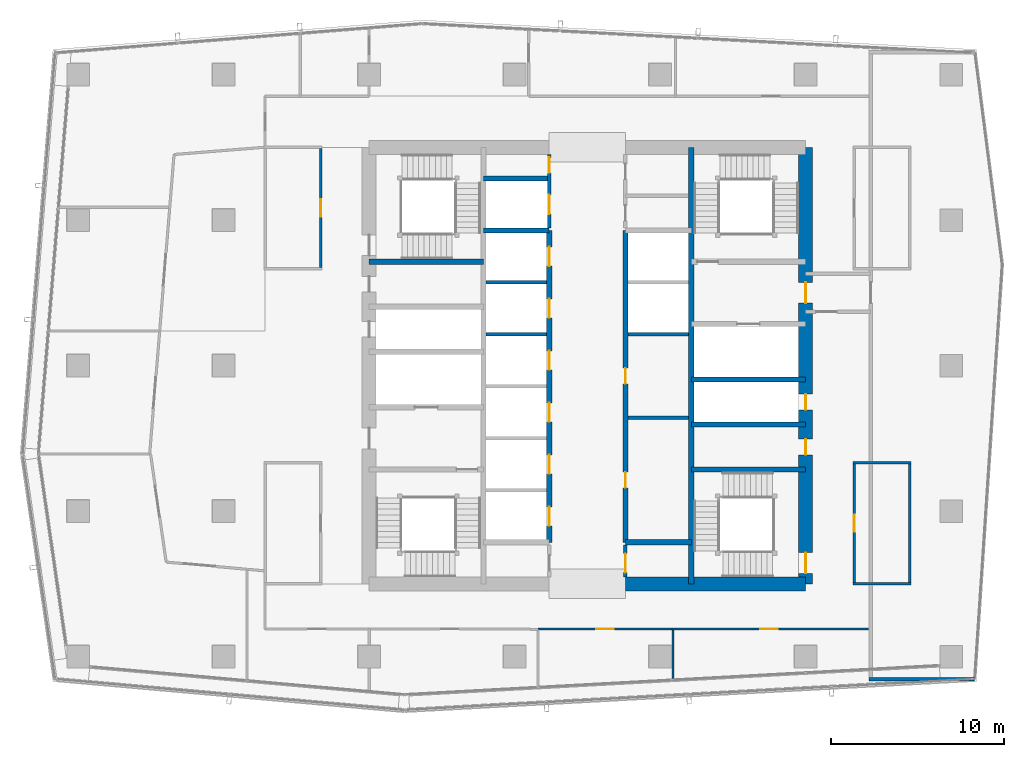
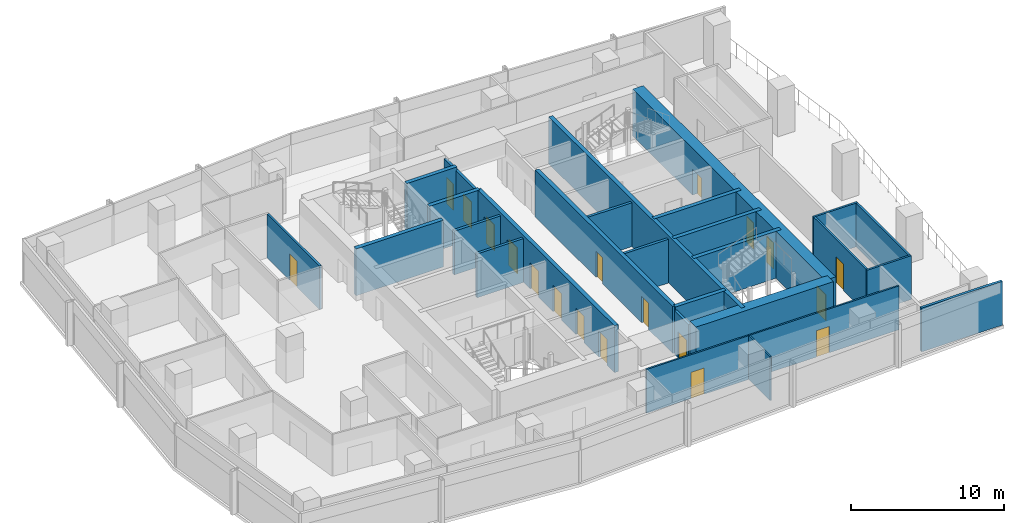
# One storey, part 20 of 26: 27 walls, 19 doors, 19 openings.
"""IFC4 building model written with IfcOpenShell, lengths in metres."""

import ifcopenshell
import ifcopenshell.guid

model = None  # the IFC model being written
_history = None  # IfcOwnerHistory: only IFC2X3 demands one
_inside = {}  # id of a spatial element -> (the spatial element, [elements in it])
_under = {}  # id of a project, library or spatial element -> (it, [spatial elements below it])
_declared = {}  # id of a project -> (the project, [libraries it declares])
_typed = {}  # id of a type object -> (the type object, [elements of that type])
_made_of = {}  # id of a material, layer set ... -> (it, [elements and type objects made of it])


def new_model(schema):
    """Start an empty IFC model of exactly this schema.

    Asked for "IFC4X3", IfcOpenShell would pick the latest addendum, in which some entities
    have other attributes; the version numbers below select the first issue.
    IFC2X3 requires an IfcOwnerHistory on every rooted entity: one is made here for all.
    """
    global model, _history
    if schema == "IFC4X3":
        model = ifcopenshell.file(schema_version=(4, 3, 0, 0))
    else:
        model = ifcopenshell.file(schema=schema)
    _inside.clear()
    _under.clear()
    _declared.clear()
    _typed.clear()
    _made_of.clear()
    _history = None
    if model.schema == "IFC2X3":
        org = make("IfcOrganization", Name="unknown")
        user = make(
            "IfcPersonAndOrganization",
            ThePerson=make("IfcPerson", FamilyName="unknown"),
            TheOrganization=org,
        )
        app = make(
            "IfcApplication",
            ApplicationDeveloper=org,
            Version="unknown",
            ApplicationFullName="unknown",
            ApplicationIdentifier="unknown",
        )
        _history = make(
            "IfcOwnerHistory",
            OwningUser=user,
            OwningApplication=app,
            ChangeAction="ADDED",
            CreationDate=0,
        )
    return model


def make(cls, **values):
    """One entity of the class cls with the attributes given. An attribute that is None is left unset."""
    return model.create_entity(
        cls, **{name: value for name, value in values.items() if value is not None}
    )


def rooted(cls, **values):
    """An entity with a GlobalId (a new one), such as an element, a storey or a relation."""
    return make(cls, GlobalId=ifcopenshell.guid.new(), OwnerHistory=_history, **values)


def si_unit(unit_type, name, prefix=None):
    """IfcSIUnit, for example si_unit("LENGTHUNIT", "METRE", prefix="MILLI")."""
    return make("IfcSIUnit", UnitType=unit_type, Prefix=prefix, Name=name)


def assignment(units):
    """IfcUnitAssignment: the units of a project."""
    return None if units is None else make("IfcUnitAssignment", Units=units)


def point(xyz):
    """IfcCartesianPoint."""
    return None if xyz is None else make("IfcCartesianPoint", Coordinates=xyz)


def direction(xyz):
    """IfcDirection."""
    return None if xyz is None else make("IfcDirection", DirectionRatios=xyz)


def frame(location, z_axis=None, x_axis=None):
    """IfcAxis2Placement3D, a coordinate frame: its origin and axes. An axis left out is left unset."""
    return make(
        "IfcAxis2Placement3D",
        Location=point(location),
        Axis=direction(z_axis),
        RefDirection=direction(x_axis),
    )


def frame_2d(location, x_axis=None):
    """IfcAxis2Placement2D, a coordinate frame in the plane: its origin and x axis."""
    return make(
        "IfcAxis2Placement2D", Location=point(location), RefDirection=direction(x_axis)
    )


def origin():
    """The frame at (0, 0, 0) with its axes left unset."""
    return frame((0.0, 0.0, 0.0))


def place(relative_to, where):
    """IfcLocalPlacement: puts the frame where relative to a parent placement (None: the world)."""
    return make(
        "IfcLocalPlacement", PlacementRelTo=relative_to, RelativePlacement=where
    )


def context(
    kind, dimensions, precision=None, world=None, true_north=None, identifier=None
):
    """IfcGeometricRepresentationContext, for example the 3D "Model" context."""
    return make(
        "IfcGeometricRepresentationContext",
        ContextIdentifier=identifier,
        ContextType=kind,
        CoordinateSpaceDimension=dimensions,
        Precision=precision,
        WorldCoordinateSystem=world,
        TrueNorth=true_north,
    )


def subcontext(parent, identifier, kind, view, scale=None):
    """IfcGeometricRepresentationSubContext, for example "Body" below "Model"."""
    return make(
        "IfcGeometricRepresentationSubContext",
        ContextIdentifier=identifier,
        ContextType=kind,
        ParentContext=parent,
        TargetScale=scale,
        TargetView=view,
    )


def project(units=None, contexts=None):
    """IfcProject with its units and contexts."""
    return rooted(
        "IfcProject",
        Name="project",
        RepresentationContexts=contexts,
        UnitsInContext=assignment(units),
    )


def spatial(cls, under=None, at=None, **own):
    """A site, building, storey or space (cls), placed at a placement, below another one or the project."""
    s = rooted(cls, ObjectPlacement=at, **own)
    if under is not None:
        _under.setdefault(under.id(), (under, []))[1].append(s)
    return s


def profile(cls, at=None, kind="AREA", **sizes):
    """A parametric profile (cls). Its sizes go by their IFC names, for example OverallWidth=200.0."""
    return make(cls, ProfileType=kind, Position=at, **sizes)


def rectangle(**sizes):
    """IfcRectangleProfileDef."""
    return profile("IfcRectangleProfileDef", **sizes)


def extrude(swept, where, along, depth):
    """IfcExtrudedAreaSolid: the profile swept, set in the frame where, extruded along a direction by depth."""
    return make(
        "IfcExtrudedAreaSolid",
        SweptArea=swept,
        Position=where,
        ExtrudedDirection=direction(along),
        Depth=depth,
    )


def shape(context_of_items, identifier, shape_type, items):
    """IfcShapeRepresentation: the items that make up one representation, for example the "Body"."""
    return make(
        "IfcShapeRepresentation",
        ContextOfItems=context_of_items,
        RepresentationIdentifier=identifier,
        RepresentationType=shape_type,
        Items=items,
    )


def material(Name=None, Category=None):
    """IfcMaterial."""
    return make("IfcMaterial", Name=Name, Category=Category)


def layer(
    of_material, thickness, ventilated=None, Name=None, Category=None, Priority=None
):
    """IfcMaterialLayer: one layer of a wall or slab, of a material (None: an air gap)."""
    return make(
        "IfcMaterialLayer",
        Material=of_material,
        LayerThickness=thickness,
        IsVentilated=ventilated,
        Name=Name,
        Category=Category,
        Priority=Priority,
    )


def layer_set(layers, Name=None):
    """IfcMaterialLayerSet."""
    return make("IfcMaterialLayerSet", MaterialLayers=layers, LayerSetName=Name)


def made_of(thing, what):
    """Note that an element or type object is made of a material, layer set ...; save() writes the relation."""
    if what is not None:
        _made_of.setdefault(what.id(), (what, []))[1].append(thing)
    return thing


def type_object(cls, material=None, **own):
    """A type object (cls), such as IfcWallType, which elements share."""
    return made_of(rooted(cls, **own), material)


def element(
    cls,
    number,
    at=None,
    inside=None,
    cuts=None,
    type_object=None,
    material=None,
    context=None,
    identifier="Body",
    shape_type=None,
    held_by="IfcProductDefinitionShape",
    body=None,
    shapes=None,
    **own,
):
    """One element of the class cls, such as IfcWall. Its Tag is "e" and its number.

    at: its placement. inside: the storey or other place that contains it. cuts: it is an
    opening in that element (IfcRelVoidsElement). A single representation is given by context,
    identifier, shape_type and body (its items); several are given by shapes. held_by: the class
    of the entity that holds the representations. save() writes the other relations.
    """
    e = rooted(cls, Tag="e%d" % number, ObjectPlacement=at, **own)
    if body is not None:
        shapes = [shape(context, identifier, shape_type, body)]
    if shapes is not None:
        e.Representation = make(held_by, Representations=shapes)
    if inside is not None:
        _inside.setdefault(inside.id(), (inside, []))[1].append(e)
    if cuts is not None:
        rooted(
            "IfcRelVoidsElement", RelatingBuildingElement=cuts, RelatedOpeningElement=e
        )
    if type_object is not None:
        _typed.setdefault(type_object.id(), (type_object, []))[1].append(e)
    return made_of(e, material)


def fill(opening, filler):
    """IfcRelFillsElement: the door or window that sits in an opening."""
    return rooted(
        "IfcRelFillsElement",
        RelatingOpeningElement=opening,
        RelatedBuildingElement=filler,
    )


def aggregate(whole, parts):
    """IfcRelAggregates: a whole, such as a stair, and the parts it consists of."""
    return rooted("IfcRelAggregates", RelatingObject=whole, RelatedObjects=parts)


def save(model, path):
    """Write the relations noted so far, then the file.

    IfcRelAggregates (storeys below a building ...), IfcRelContainedInSpatialStructure (elements
    in a storey), IfcRelDefinesByType, IfcRelAssociatesMaterial and IfcRelDeclares: one each for
    every whole, place, type object, material and project.
    """
    for whole, parts in _under.values():
        aggregate(whole, parts)
    for where, things in _inside.values():
        rooted(
            "IfcRelContainedInSpatialStructure",
            RelatedElements=things,
            RelatingStructure=where,
        )
    for kind, things in _typed.values():
        rooted("IfcRelDefinesByType", RelatedObjects=things, RelatingType=kind)
    for what, things in _made_of.values():
        rooted("IfcRelAssociatesMaterial", RelatedObjects=things, RelatingMaterial=what)
    for by, libraries in _declared.values():
        rooted("IfcRelDeclares", RelatingContext=by, RelatedDefinitions=libraries)
    model.write(path)


model = new_model("IFC4")

# Units and contexts
model_context = context("Model", 3, precision=1e-05, world=origin(), true_north=direction((0.0, 1.0)))
body_context = subcontext(model_context, "Body", "Model", "MODEL_VIEW")
ifc_project = project(units=[si_unit("LENGTHUNIT", "METRE"), si_unit("AREAUNIT", "SQUARE_METRE"), si_unit("VOLUMEUNIT", "CUBIC_METRE"), si_unit("PLANEANGLEUNIT", "RADIAN"), si_unit("MASSUNIT", "GRAM", prefix="KILO")], contexts=[model_context])

# Site, building, storey
site_placement = place(None, origin())
site = spatial("IfcSite", under=ifc_project, at=site_placement, CompositionType="ELEMENT")
building_placement = place(site_placement, origin())
building = spatial("IfcBuilding", under=site, at=building_placement, Name="Rekha Terrace Tower", CompositionType="ELEMENT")
storey_placement = place(building_placement, frame((0.0, 0.0, 283.85009765625)))
storey = spatial("IfcBuildingStorey", under=building, at=storey_placement, Name="L72", CompositionType="ELEMENT", Elevation=283.85009765625)

# Wall
ifc_material_1 = material(Name="Concrete M60", Category="concrete")
ifc_layer_1 = layer(ifc_material_1, 0.300048828125)
ifc_layer_set_1 = layer_set([ifc_layer_1], Name="Concrete M60")
wall_type_1 = type_object("IfcWallType", Name="CI5 300 core internal shear wall", PredefinedType="SHEAR", material=ifc_layer_set_1)
wall_1_placement = place(storey_placement, frame((43.800048828125, 21.0, 0.0), z_axis=(0.0, 0.0, 1.0), x_axis=(0.0, 1.0, 0.0)))
element("IfcWall", 1, at=wall_1_placement, inside=storey, type_object=wall_type_1, Name="Core wall X438 L72", PredefinedType="SHEAR", context=body_context, shape_type="SweptSolid", body=[
    extrude(rectangle(XDim=25.199951171875, YDim=0.300048828125, at=frame_2d((12.60009765625, 0.0))), origin(), (0.0, 0.0, 1.0), 3.75),
])

# Wall, openings, doors
wall_2_placement = place(storey_placement, frame((35.60009765625, 23.39990234375, 0.0), z_axis=(0.0, 0.0, 1.0), x_axis=(0.0, 1.0, 0.0)))
wall_2 = element("IfcWall", 2, at=wall_2_placement, inside=storey, type_object=wall_type_1, Name="Core wall X356 L72", PredefinedType="SHEAR", context=body_context, shape_type="SweptSolid", body=[
    extrude(rectangle(XDim=18.0, YDim=0.300048828125, at=frame_2d((9.0, 0.0))), origin(), (0.0, 0.0, 1.0), 3.75),
])
opening_1_placement = place(wall_2_placement, frame((0.949951171875, 0.0, 0.0)))
opening_1 = element("IfcOpeningElement", 3, at=opening_1_placement, cuts=wall_2, Name="Opening LD1", PredefinedType="OPENING", context=body_context, shape_type="SweptSolid", body=[
    extrude(rectangle(XDim=1.10009765625, YDim=2.10009765625, at=frame_2d((0.550048828125, 1.050048828125))), frame((0.0, 0.159912109375, 0.0), z_axis=(0.0, -1.0, 0.0), x_axis=(1.0, 0.0, 0.0)), (0.0, 0.0, 1.0), 0.320068359375),
])
opening_2_placement = place(wall_2_placement, frame((3.949951171875, 0.0, 0.0)))
opening_2 = element("IfcOpeningElement", 4, at=opening_2_placement, cuts=wall_2, Name="Opening LD1", PredefinedType="OPENING", context=body_context, shape_type="SweptSolid", body=[
    extrude(rectangle(XDim=1.10009765625, YDim=2.10009765625, at=frame_2d((0.550048828125, 1.050048828125))), frame((0.0, 0.159912109375, 0.0), z_axis=(0.0, -1.0, 0.0), x_axis=(1.0, 0.0, 0.0)), (0.0, 0.0, 1.0), 0.320068359375),
])
opening_3_placement = place(wall_2_placement, frame((6.949951171875, 0.0, 0.0)))
opening_3 = element("IfcOpeningElement", 5, at=opening_3_placement, cuts=wall_2, Name="Opening LD1", PredefinedType="OPENING", context=body_context, shape_type="SweptSolid", body=[
    extrude(rectangle(XDim=1.10009765625, YDim=2.10009765625, at=frame_2d((0.550048828125, 1.050048828125))), frame((0.0, 0.159912109375, 0.0), z_axis=(0.0, -1.0, 0.0), x_axis=(1.0, 0.0, 0.0)), (0.0, 0.0, 1.0), 0.320068359375),
])
opening_4_placement = place(wall_2_placement, frame((9.949951171875, 0.0, 0.0)))
opening_4 = element("IfcOpeningElement", 6, at=opening_4_placement, cuts=wall_2, Name="Opening LD1", PredefinedType="OPENING", context=body_context, shape_type="SweptSolid", body=[
    extrude(rectangle(XDim=1.10009765625, YDim=2.10009765625, at=frame_2d((0.550048828125, 1.050048828125))), frame((0.0, 0.159912109375, 0.0), z_axis=(0.0, -1.0, 0.0), x_axis=(1.0, 0.0, 0.0)), (0.0, 0.0, 1.0), 0.320068359375),
])
opening_5_placement = place(wall_2_placement, frame((12.949951171875, 0.0, 0.0)))
opening_5 = element("IfcOpeningElement", 7, at=opening_5_placement, cuts=wall_2, Name="Opening LD1", PredefinedType="OPENING", context=body_context, shape_type="SweptSolid", body=[
    extrude(rectangle(XDim=1.10009765625, YDim=2.10009765625, at=frame_2d((0.550048828125, 1.050048828125))), frame((0.0, 0.159912109375, 0.0), z_axis=(0.0, -1.0, 0.0), x_axis=(1.0, 0.0, 0.0)), (0.0, 0.0, 1.0), 0.320068359375),
])
opening_6_placement = place(wall_2_placement, frame((15.949951171875, 0.0, 0.0)))
opening_6 = element("IfcOpeningElement", 8, at=opening_6_placement, cuts=wall_2, Name="Opening LD1", PredefinedType="OPENING", context=body_context, shape_type="SweptSolid", body=[
    extrude(rectangle(XDim=1.10009765625, YDim=2.10009765625, at=frame_2d((0.550048828125, 1.050048828125))), frame((0.0, 0.159912109375, 0.0), z_axis=(0.0, -1.0, 0.0), x_axis=(1.0, 0.0, 0.0)), (0.0, 0.0, 1.0), 0.320068359375),
])
ifc_material_2 = material(Name="Stainless steel sliding landing door", Category="steel")
door_type_1 = type_object("IfcDoorType", Name="LD1 1100x2100 lift landing door", OperationType="SLIDING_TO_LEFT", PredefinedType="USERDEFINED", material=ifc_material_2)
door_1_placement = place(opening_1_placement, origin())
door_1 = element("IfcDoor", 9, at=door_1_placement, inside=storey, type_object=door_type_1, Name="Lift D1 landing door L72", ObjectType="LIFT LANDING DOOR", OperationType="SLIDING_TO_LEFT", OverallHeight=2.10009765625, OverallWidth=1.10009765625, PredefinedType="USERDEFINED", context=body_context, shape_type="SweptSolid", body=[
    extrude(rectangle(XDim=1.10009765625, YDim=2.10009765625, at=frame_2d((0.550048828125, 1.050048828125))), frame((0.0, 0.02490234375, 0.0), z_axis=(0.0, -1.0, 0.0), x_axis=(1.0, 0.0, 0.0)), (0.0, 0.0, 1.0), 0.050048828125),
])
fill(opening_1, door_1)
door_2_placement = place(opening_2_placement, origin())
door_2 = element("IfcDoor", 10, at=door_2_placement, inside=storey, type_object=door_type_1, Name="Lift D2 landing door L72", ObjectType="LIFT LANDING DOOR", OperationType="SLIDING_TO_LEFT", OverallHeight=2.10009765625, OverallWidth=1.10009765625, PredefinedType="USERDEFINED", context=body_context, shape_type="SweptSolid", body=[
    extrude(rectangle(XDim=1.10009765625, YDim=2.10009765625, at=frame_2d((0.550048828125, 1.050048828125))), frame((0.0, 0.02490234375, 0.0), z_axis=(0.0, -1.0, 0.0), x_axis=(1.0, 0.0, 0.0)), (0.0, 0.0, 1.0), 0.050048828125),
])
fill(opening_2, door_2)
door_3_placement = place(opening_3_placement, origin())
door_3 = element("IfcDoor", 11, at=door_3_placement, inside=storey, type_object=door_type_1, Name="Lift D3 landing door L72", ObjectType="LIFT LANDING DOOR", OperationType="SLIDING_TO_LEFT", OverallHeight=2.10009765625, OverallWidth=1.10009765625, PredefinedType="USERDEFINED", context=body_context, shape_type="SweptSolid", body=[
    extrude(rectangle(XDim=1.10009765625, YDim=2.10009765625, at=frame_2d((0.550048828125, 1.050048828125))), frame((0.0, 0.02490234375, 0.0), z_axis=(0.0, -1.0, 0.0), x_axis=(1.0, 0.0, 0.0)), (0.0, 0.0, 1.0), 0.050048828125),
])
fill(opening_3, door_3)
door_4_placement = place(opening_4_placement, origin())
door_4 = element("IfcDoor", 12, at=door_4_placement, inside=storey, type_object=door_type_1, Name="Lift D4 landing door L72", ObjectType="LIFT LANDING DOOR", OperationType="SLIDING_TO_LEFT", OverallHeight=2.10009765625, OverallWidth=1.10009765625, PredefinedType="USERDEFINED", context=body_context, shape_type="SweptSolid", body=[
    extrude(rectangle(XDim=1.10009765625, YDim=2.10009765625, at=frame_2d((0.550048828125, 1.050048828125))), frame((0.0, 0.02490234375, 0.0), z_axis=(0.0, -1.0, 0.0), x_axis=(1.0, 0.0, 0.0)), (0.0, 0.0, 1.0), 0.050048828125),
])
fill(opening_4, door_4)
door_5_placement = place(opening_5_placement, origin())
door_5 = element("IfcDoor", 13, at=door_5_placement, inside=storey, type_object=door_type_1, Name="Lift D5 landing door L72", ObjectType="LIFT LANDING DOOR", OperationType="SLIDING_TO_LEFT", OverallHeight=2.10009765625, OverallWidth=1.10009765625, PredefinedType="USERDEFINED", context=body_context, shape_type="SweptSolid", body=[
    extrude(rectangle(XDim=1.10009765625, YDim=2.10009765625, at=frame_2d((0.550048828125, 1.050048828125))), frame((0.0, 0.02490234375, 0.0), z_axis=(0.0, -1.0, 0.0), x_axis=(1.0, 0.0, 0.0)), (0.0, 0.0, 1.0), 0.050048828125),
])
fill(opening_5, door_5)
door_6_placement = place(opening_6_placement, origin())
door_6 = element("IfcDoor", 14, at=door_6_placement, inside=storey, type_object=door_type_1, Name="Lift D6 landing door L72", ObjectType="LIFT LANDING DOOR", OperationType="SLIDING_TO_LEFT", OverallHeight=2.10009765625, OverallWidth=1.10009765625, PredefinedType="USERDEFINED", context=body_context, shape_type="SweptSolid", body=[
    extrude(rectangle(XDim=1.10009765625, YDim=2.10009765625, at=frame_2d((0.550048828125, 1.050048828125))), frame((0.0, 0.02490234375, 0.0), z_axis=(0.0, -1.0, 0.0), x_axis=(1.0, 0.0, 0.0)), (0.0, 0.0, 1.0), 0.050048828125),
])
fill(opening_6, door_6)

wall_3_placement = place(storey_placement, frame((40.0, 23.39990234375, 0.0), z_axis=(0.0, 0.0, 1.0), x_axis=(0.0, 1.0, 0.0)))
wall_3 = element("IfcWall", 15, at=wall_3_placement, inside=storey, type_object=wall_type_1, Name="Core wall X400 L72", PredefinedType="SHEAR", context=body_context, shape_type="SweptSolid", body=[
    extrude(rectangle(XDim=18.0, YDim=0.300048828125, at=frame_2d((9.0, 0.0))), origin(), (0.0, 0.0, 1.0), 3.75),
])
opening_7_placement = place(wall_3_placement, frame((3.14990234375, 0.0, 0.0)))
opening_7 = element("IfcOpeningElement", 16, at=opening_7_placement, cuts=wall_3, Name="Opening D5", PredefinedType="OPENING", context=body_context, shape_type="SweptSolid", body=[
    extrude(rectangle(XDim=0.89990234375, YDim=2.10009765625, at=frame_2d((0.449951171875, 1.050048828125))), frame((0.0, 0.159912109375, 0.0), z_axis=(0.0, -1.0, 0.0), x_axis=(1.0, 0.0, 0.0)), (0.0, 0.0, 1.0), 0.320068359375),
])
opening_8_placement = place(wall_3_placement, frame((9.14990234375, 0.0, 0.0)))
opening_8 = element("IfcOpeningElement", 17, at=opening_8_placement, cuts=wall_3, Name="Opening D5", PredefinedType="OPENING", context=body_context, shape_type="SweptSolid", body=[
    extrude(rectangle(XDim=0.89990234375, YDim=2.10009765625, at=frame_2d((0.449951171875, 1.050048828125))), frame((0.0, 0.159912109375, 0.0), z_axis=(0.0, -1.0, 0.0), x_axis=(1.0, 0.0, 0.0)), (0.0, 0.0, 1.0), 0.320068359375),
])
ifc_material_3 = material(Name="Steel fire door", Category="steel")
door_type_2 = type_object("IfcDoorType", Name="D5 900x2100 riser access door", OperationType="SINGLE_SWING_LEFT", PredefinedType="DOOR", material=ifc_material_3)
door_7_placement = place(opening_7_placement, origin())
door_7 = element("IfcDoor", 18, at=door_7_placement, inside=storey, type_object=door_type_2, Name="Door back-of-house store L72", OperationType="SINGLE_SWING_LEFT", OverallHeight=2.10009765625, OverallWidth=0.89990234375, PredefinedType="DOOR", context=body_context, shape_type="SweptSolid", body=[
    extrude(rectangle(XDim=0.89990234375, YDim=2.10009765625, at=frame_2d((0.449951171875, 1.050048828125))), frame((0.0, 0.02490234375, 0.0), z_axis=(0.0, -1.0, 0.0), x_axis=(1.0, 0.0, 0.0)), (0.0, 0.0, 1.0), 0.050048828125),
])
fill(opening_7, door_7)
door_8_placement = place(opening_8_placement, origin())
door_8 = element("IfcDoor", 19, at=door_8_placement, inside=storey, type_object=door_type_2, Name="Door records store L72", OperationType="SINGLE_SWING_LEFT", OverallHeight=2.10009765625, OverallWidth=0.89990234375, PredefinedType="DOOR", context=body_context, shape_type="SweptSolid", body=[
    extrude(rectangle(XDim=0.89990234375, YDim=2.10009765625, at=frame_2d((0.449951171875, 1.050048828125))), frame((0.0, 0.02490234375, 0.0), z_axis=(0.0, -1.0, 0.0), x_axis=(1.0, 0.0, 0.0)), (0.0, 0.0, 1.0), 0.050048828125),
])
fill(opening_8, door_8)

# Walls
for number, where, z_axis, x_axis, name in (
    (20, (31.800048828125, 41.39990234375, 0.0), (0.0, 0.0, 1.0), (1.0, 0.0, 0.0), "Core wall Y414W L72"),
    (21, (31.800048828125, 44.39990234375, 0.0), (0.0, 0.0, 1.0), (1.0, 0.0, 0.0), "Core wall Y444W L72"),
    (22, (40.0, 23.39990234375, 0.0), (0.0, 0.0, 1.0), (1.0, 0.0, 0.0), "Core wall Y234E L72"),
):
    element("IfcWall", number, at=place(storey_placement, frame(where, z_axis=z_axis, x_axis=x_axis)), inside=storey, type_object=wall_type_1, Name=name, PredefinedType="SHEAR", context=body_context, shape_type="SweptSolid", body=[
        extrude(rectangle(XDim=3.800048828125, YDim=0.300048828125, at=frame_2d((1.89990234375, 0.0))), origin(), (0.0, 0.0, 1.0), 3.75),
    ])
wall_4_placement = place(storey_placement, frame((25.199951171875, 39.60009765625, 0.0), z_axis=(0.0, 0.0, 1.0), x_axis=(1.0, 0.0, 0.0)))
element("IfcWall", 23, at=wall_4_placement, inside=storey, type_object=wall_type_1, Name="Core wall Y396W L72", PredefinedType="SHEAR", context=body_context, shape_type="SweptSolid", body=[
    extrude(rectangle(XDim=6.60009765625, YDim=0.300048828125, at=frame_2d((3.300048828125, 0.0))), origin(), (0.0, 0.0, 1.0), 3.75),
])
for number, where, z_axis, x_axis, name in (
    (24, (43.800048828125, 27.60009765625, 0.0), (0.0, 0.0, 1.0), (1.0, 0.0, 0.0), "Core wall Y276E L72"),
    (25, (43.800048828125, 30.199951171875, 0.0), (0.0, 0.0, 1.0), (1.0, 0.0, 0.0), "Core wall Y302E L72"),
    (26, (43.800048828125, 32.800048828125, 0.0), (0.0, 0.0, 1.0), (1.0, 0.0, 0.0), "Core wall Y328E L72"),
):
    element("IfcWall", number, at=place(storey_placement, frame(where, z_axis=z_axis, x_axis=x_axis)), inside=storey, type_object=wall_type_1, Name=name, PredefinedType="SHEAR", context=body_context, shape_type="SweptSolid", body=[
        extrude(rectangle(XDim=6.599853515625, YDim=0.300048828125, at=frame_2d((3.2998046875, 0.0))), origin(), (0.0, 0.0, 1.0), 3.75),
    ])
ifc_layer_2 = layer(ifc_material_1, 0.800048828125)
ifc_layer_set_2 = layer_set([ifc_layer_2], Name="Concrete M60")
wall_type_2 = type_object("IfcWallType", Name="SW5 800 core outer shear wall", PredefinedType="SHEAR", material=ifc_layer_set_2)
wall_5_placement = place(storey_placement, frame((40.0, 21.0, 0.0), z_axis=(0.0, 0.0, 1.0), x_axis=(1.0, 0.0, 0.0)))
element("IfcWall", 27, at=wall_5_placement, inside=storey, type_object=wall_type_2, Name="Core wall S2 L72", PredefinedType="SHEAR", context=body_context, shape_type="SweptSolid", body=[
    extrude(rectangle(XDim=10.39990234375, YDim=0.800048828125, at=frame_2d((5.199951171875, 0.0))), origin(), (0.0, 0.0, 1.0), 3.75),
])

# Wall, openings, doors
wall_6_placement = place(storey_placement, frame((50.39990234375, 21.0, 0.0), z_axis=(0.0, 0.0, 1.0), x_axis=(0.0, 1.0, 0.0)))
wall_6 = element("IfcWall", 28, at=wall_6_placement, inside=storey, type_object=wall_type_2, Name="Core wall E L72", PredefinedType="SHEAR", context=body_context, shape_type="SweptSolid", body=[
    extrude(rectangle(XDim=25.199951171875, YDim=0.800048828125, at=frame_2d((12.60009765625, 0.0))), origin(), (0.0, 0.0, 1.0), 3.75),
])
opening_9_placement = place(wall_6_placement, frame((16.199951171875, 0.0, 0.0)))
opening_9 = element("IfcOpeningElement", 29, at=opening_9_placement, cuts=wall_6, Name="Opening D2", PredefinedType="OPENING", context=body_context, shape_type="SweptSolid", body=[
    extrude(rectangle(XDim=1.199951171875, YDim=2.10009765625, at=frame_2d((0.60009765625, 1.050048828125))), frame((0.0, 0.409912109375, 0.0), z_axis=(0.0, -1.0, 0.0), x_axis=(1.0, 0.0, 0.0)), (0.0, 0.0, 1.0), 0.820068359375),
])
opening_10_placement = place(wall_6_placement, frame((10.050048828125, 0.0, 0.0)))
opening_10 = element("IfcOpeningElement", 30, at=opening_10_placement, cuts=wall_6, Name="Opening D5", PredefinedType="OPENING", context=body_context, shape_type="SweptSolid", body=[
    extrude(rectangle(XDim=0.89990234375, YDim=2.10009765625, at=frame_2d((0.449951171875, 1.050048828125))), frame((0.0, 0.409912109375, 0.0), z_axis=(0.0, -1.0, 0.0), x_axis=(1.0, 0.0, 0.0)), (0.0, 0.0, 1.0), 0.820068359375),
])
opening_11_placement = place(wall_6_placement, frame((7.449951171875, 0.0, 0.0)))
opening_11 = element("IfcOpeningElement", 31, at=opening_11_placement, cuts=wall_6, Name="Opening D5", PredefinedType="OPENING", context=body_context, shape_type="SweptSolid", body=[
    extrude(rectangle(XDim=0.89990234375, YDim=2.10009765625, at=frame_2d((0.449951171875, 1.050048828125))), frame((0.0, 0.409912109375, 0.0), z_axis=(0.0, -1.0, 0.0), x_axis=(1.0, 0.0, 0.0)), (0.0, 0.0, 1.0), 0.820068359375),
])
opening_12_placement = place(wall_6_placement, frame((0.60009765625, 0.0, 0.0)))
opening_12 = element("IfcOpeningElement", 32, at=opening_12_placement, cuts=wall_6, Name="Opening D1", PredefinedType="OPENING", context=body_context, shape_type="SweptSolid", body=[
    extrude(rectangle(XDim=1.199951171875, YDim=2.10009765625, at=frame_2d((0.60009765625, 1.050048828125))), frame((0.0, 0.409912109375, 0.0), z_axis=(0.0, -1.0, 0.0), x_axis=(1.0, 0.0, 0.0)), (0.0, 0.0, 1.0), 0.820068359375),
])
door_type_3 = type_object("IfcDoorType", Name="D1 1200x2100 stair fire door", OperationType="SINGLE_SWING_RIGHT", PredefinedType="DOOR", material=ifc_material_3)
door_9_placement = place(opening_12_placement, origin())
door_9 = element("IfcDoor", 33, at=door_9_placement, inside=storey, type_object=door_type_3, Name="Stair ST3 door L72", OperationType="SINGLE_SWING_RIGHT", OverallHeight=2.10009765625, OverallWidth=1.199951171875, PredefinedType="DOOR", context=body_context, shape_type="SweptSolid", body=[
    extrude(rectangle(XDim=1.199951171875, YDim=2.10009765625, at=frame_2d((0.60009765625, 1.050048828125))), frame((0.0, 0.02490234375, 0.0), z_axis=(0.0, -1.0, 0.0), x_axis=(1.0, 0.0, 0.0)), (0.0, 0.0, 1.0), 0.050048828125),
])
fill(opening_12, door_9)
door_type_4 = type_object("IfcDoorType", Name="D2 1200x2100 firefighting lobby door", OperationType="SINGLE_SWING_LEFT", PredefinedType="DOOR", material=ifc_material_3)
door_10_placement = place(opening_9_placement, origin())
door_10 = element("IfcDoor", 34, at=door_10_placement, inside=storey, type_object=door_type_4, Name="Door flb2 L72", OperationType="SINGLE_SWING_LEFT", OverallHeight=2.10009765625, OverallWidth=1.199951171875, PredefinedType="DOOR", context=body_context, shape_type="SweptSolid", body=[
    extrude(rectangle(XDim=1.199951171875, YDim=2.10009765625, at=frame_2d((0.60009765625, 1.050048828125))), frame((0.0, 0.02490234375, 0.0), z_axis=(0.0, -1.0, 0.0), x_axis=(1.0, 0.0, 0.0)), (0.0, 0.0, 1.0), 0.050048828125),
])
fill(opening_9, door_10)
door_11_placement = place(opening_10_placement, origin())
door_11 = element("IfcDoor", 35, at=door_11_placement, inside=storey, type_object=door_type_2, Name="Door rs2 L72", OperationType="SINGLE_SWING_LEFT", OverallHeight=2.10009765625, OverallWidth=0.89990234375, PredefinedType="DOOR", context=body_context, shape_type="SweptSolid", body=[
    extrude(rectangle(XDim=0.89990234375, YDim=2.10009765625, at=frame_2d((0.449951171875, 1.050048828125))), frame((0.0, 0.02490234375, 0.0), z_axis=(0.0, -1.0, 0.0), x_axis=(1.0, 0.0, 0.0)), (0.0, 0.0, 1.0), 0.050048828125),
])
fill(opening_10, door_11)
door_12_placement = place(opening_11_placement, origin())
door_12 = element("IfcDoor", 36, at=door_12_placement, inside=storey, type_object=door_type_2, Name="Door ele L72", OperationType="SINGLE_SWING_LEFT", OverallHeight=2.10009765625, OverallWidth=0.89990234375, PredefinedType="DOOR", context=body_context, shape_type="SweptSolid", body=[
    extrude(rectangle(XDim=0.89990234375, YDim=2.10009765625, at=frame_2d((0.449951171875, 1.050048828125))), frame((0.0, 0.02490234375, 0.0), z_axis=(0.0, -1.0, 0.0), x_axis=(1.0, 0.0, 0.0)), (0.0, 0.0, 1.0), 0.050048828125),
])
fill(opening_11, door_12)

# Wall, opening, door
ifc_material_4 = material(Name="Concrete block masonry, 1 hour", Category="masonry")
ifc_layer_3 = layer(ifc_material_4, 0.14990234375)
ifc_layer_set_3 = layer_set([ifc_layer_3], Name="Concrete block masonry, 1 hour")
wall_type_3 = type_object("IfcWallType", Name="WP2 150 tenancy partition", PredefinedType="PARTITIONING", material=ifc_layer_set_3)
wall_7_placement = place(storey_placement, frame((22.39990234375, 39.27490234375, 0.0), z_axis=(0.0, 0.0, 1.0), x_axis=(0.0, 1.0, 0.0)))
wall_7 = element("IfcWall", 37, at=wall_7_placement, inside=storey, type_object=wall_type_3, Name="Women's WC wall L72", PredefinedType="PARTITIONING", context=body_context, shape_type="SweptSolid", body=[
    extrude(rectangle(XDim=6.85009765625, YDim=0.14990234375, at=frame_2d((3.425048828125, 0.0))), origin(), (0.0, 0.0, 1.0), 3.5),
])
opening_13_placement = place(wall_7_placement, frame((2.925048828125, 0.0, 0.0)))
opening_13 = element("IfcOpeningElement", 38, at=opening_13_placement, cuts=wall_7, Name="Opening D3", PredefinedType="OPENING", context=body_context, shape_type="SweptSolid", body=[
    extrude(rectangle(XDim=1.0, YDim=2.10009765625, at=frame_2d((0.5, 1.050048828125))), frame((0.0, 0.0849609375, 0.0), z_axis=(0.0, -1.0, 0.0), x_axis=(1.0, 0.0, 0.0)), (0.0, 0.0, 1.0), 0.169921875),
])
ifc_material_5 = material(Name="Laminated timber fire door", Category="wood")
door_type_5 = type_object("IfcDoorType", Name="D3 1000x2100 WC door", OperationType="SINGLE_SWING_LEFT", PredefinedType="DOOR", material=ifc_material_5)
door_13_placement = place(opening_13_placement, origin())
door_13 = element("IfcDoor", 39, at=door_13_placement, inside=storey, type_object=door_type_5, Name="Door women's wc L72", OperationType="SINGLE_SWING_LEFT", OverallHeight=2.10009765625, OverallWidth=1.0, PredefinedType="DOOR", context=body_context, shape_type="SweptSolid", body=[
    extrude(rectangle(XDim=1.0, YDim=2.10009765625, at=frame_2d((0.5, 1.050048828125))), frame((0.0, 0.02490234375, 0.0), z_axis=(0.0, -1.0, 0.0), x_axis=(1.0, 0.0, 0.0)), (0.0, 0.0, 1.0), 0.050048828125),
])
fill(opening_13, door_13)

# Walls
for number, where, z_axis, x_axis, name in (
    (40, (53.125, 21.0, 0.0), (0.0, 0.0, 1.0), (1.0, 0.0, 0.0), "Men's WC wall L72"),
    (41, (53.125, 28.0, 0.0), (0.0, 0.0, 1.0), (1.0, 0.0, 0.0), "Men's WC wall L72"),
):
    element("IfcWall", number, at=place(storey_placement, frame(where, z_axis=z_axis, x_axis=x_axis)), inside=storey, type_object=wall_type_3, Name=name, PredefinedType="PARTITIONING", context=body_context, shape_type="SweptSolid", body=[
        extrude(rectangle(XDim=3.35009765625, YDim=0.14990234375, at=frame_2d((1.675048828125, 0.0))), origin(), (0.0, 0.0, 1.0), 3.5),
    ])

# Wall, opening, door
wall_8_placement = place(storey_placement, frame((53.199951171875, 21.074951171875, 0.0), z_axis=(0.0, 0.0, 1.0), x_axis=(0.0, 1.0, 0.0)))
wall_8 = element("IfcWall", 42, at=wall_8_placement, inside=storey, type_object=wall_type_3, Name="Men's WC wall L72", PredefinedType="PARTITIONING", context=body_context, shape_type="SweptSolid", body=[
    extrude(rectangle(XDim=6.85009765625, YDim=0.14990234375, at=frame_2d((3.425048828125, 0.0))), origin(), (0.0, 0.0, 1.0), 3.5),
])
opening_14_placement = place(wall_8_placement, frame((2.925048828125, 0.0, 0.0)))
opening_14 = element("IfcOpeningElement", 43, at=opening_14_placement, cuts=wall_8, Name="Opening D3", PredefinedType="OPENING", context=body_context, shape_type="SweptSolid", body=[
    extrude(rectangle(XDim=1.0, YDim=2.10009765625, at=frame_2d((0.5, 1.050048828125))), frame((0.0, 0.0849609375, 0.0), z_axis=(0.0, -1.0, 0.0), x_axis=(1.0, 0.0, 0.0)), (0.0, 0.0, 1.0), 0.169921875),
])
door_14_placement = place(opening_14_placement, origin())
door_14 = element("IfcDoor", 44, at=door_14_placement, inside=storey, type_object=door_type_5, Name="Door men's wc L72", OperationType="SINGLE_SWING_LEFT", OverallHeight=2.10009765625, OverallWidth=1.0, PredefinedType="DOOR", context=body_context, shape_type="SweptSolid", body=[
    extrude(rectangle(XDim=1.0, YDim=2.10009765625, at=frame_2d((0.5, 1.050048828125))), frame((0.0, 0.02490234375, 0.0), z_axis=(0.0, -1.0, 0.0), x_axis=(1.0, 0.0, 0.0)), (0.0, 0.0, 1.0), 0.050048828125),
])
fill(opening_14, door_14)

# Wall
wall_9_placement = place(storey_placement, frame((56.39990234375, 21.074951171875, 0.0), z_axis=(0.0, 0.0, 1.0), x_axis=(0.0, 1.0, 0.0)))
element("IfcWall", 45, at=wall_9_placement, inside=storey, type_object=wall_type_3, Name="Men's WC wall L72", PredefinedType="PARTITIONING", context=body_context, shape_type="SweptSolid", body=[
    extrude(rectangle(XDim=6.85009765625, YDim=0.14990234375, at=frame_2d((3.425048828125, 0.0))), origin(), (0.0, 0.0, 1.0), 3.5),
])

# Wall, opening, door
ifc_material_6 = material(Name="Two layers of fire-rated gypsum board each side on steel studs, acoustic quilt, 1 hour", Category="steel")
ifc_layer_4 = layer(ifc_material_6, 0.125)
ifc_layer_set_4 = layer_set([ifc_layer_4], Name="Two layers of fire-rated gypsum board each side on steel studs, acoustic quilt, 1 hour")
wall_type_4 = type_object("IfcWallType", Name="WP3 125 office partition", PredefinedType="PARTITIONING", material=ifc_layer_set_4)
wall_10_placement = place(storey_placement, frame((42.674072265625, 18.39990234375, 0.0), z_axis=(0.0, 0.0, 1.0), x_axis=(1.0, 0.0, 0.0)))
wall_10 = element("IfcWall", 46, at=wall_10_placement, inside=storey, type_object=wall_type_4, Name="Partition L72-02", PredefinedType="PARTITIONING", context=body_context, shape_type="SweptSolid", body=[
    extrude(rectangle(XDim=11.364990234375, YDim=0.125, at=frame_2d((5.6826171875, 0.0))), origin(), (0.0, 0.0, 1.0), 3.5),
])
opening_15_placement = place(wall_10_placement, frame((5.113037109375, 0.0, 0.0)))
opening_15 = element("IfcOpeningElement", 47, at=opening_15_placement, cuts=wall_10, Name="Opening D9", PredefinedType="OPENING", context=body_context, shape_type="SweptSolid", body=[
    extrude(rectangle(XDim=1.0, YDim=2.10009765625, at=frame_2d((0.5, 1.050048828125))), frame((0.0, 0.072509765625, 0.0), z_axis=(0.0, -1.0, 0.0), x_axis=(1.0, 0.0, 0.0)), (0.0, 0.0, 1.0), 0.14501953125),
])
ifc_material_7 = material(Name="Timber fire door", Category="wood")
door_type_6 = type_object("IfcDoorType", Name="D9 1000x2100 office door", OperationType="SINGLE_SWING_LEFT", PredefinedType="DOOR", material=ifc_material_7)
door_15_placement = place(opening_15_placement, origin())
door_15 = element("IfcDoor", 48, at=door_15_placement, inside=storey, type_object=door_type_6, Name="Door chairman's office L72", OperationType="SINGLE_SWING_LEFT", OverallHeight=2.10009765625, OverallWidth=1.0, PredefinedType="DOOR", context=body_context, shape_type="SweptSolid", body=[
    extrude(rectangle(XDim=1.0, YDim=2.10009765625, at=frame_2d((0.5, 1.050048828125))), frame((0.0, 0.02490234375, 0.0), z_axis=(0.0, -1.0, 0.0), x_axis=(1.0, 0.0, 0.0)), (0.0, 0.0, 1.0), 0.050048828125),
])
fill(opening_15, door_15)

# Wall
wall_11_placement = place(storey_placement, frame((42.741943359375, 15.5380859375, 0.0), z_axis=(0.0, 0.0, 1.0), x_axis=(0.0, 1.0, 0.0)))
element("IfcWall", 49, at=wall_11_placement, inside=storey, type_object=wall_type_4, Name="Partition L72-02", PredefinedType="PARTITIONING", context=body_context, shape_type="SweptSolid", body=[
    extrude(rectangle(XDim=2.798828125, YDim=0.125, at=frame_2d((1.3994140625, 0.0))), origin(), (0.0, 0.0, 1.0), 3.5),
])

# Wall, opening, door
wall_12_placement = place(storey_placement, frame((34.947998046875, 18.39990234375, 0.0), z_axis=(0.0, 0.0, 1.0), x_axis=(1.0, 0.0, 0.0)))
wall_12 = element("IfcWall", 50, at=wall_12_placement, inside=storey, type_object=wall_type_4, Name="Partition L72-12", PredefinedType="PARTITIONING", context=body_context, shape_type="SweptSolid", body=[
    extrude(rectangle(XDim=7.72607421875, YDim=0.125, at=frame_2d((3.863037109375, 0.0))), origin(), (0.0, 0.0, 1.0), 3.5),
])
opening_16_placement = place(wall_12_placement, frame((3.363037109375, 0.0, 0.0)))
opening_16 = element("IfcOpeningElement", 51, at=opening_16_placement, cuts=wall_12, Name="Opening D9", PredefinedType="OPENING", context=body_context, shape_type="SweptSolid", body=[
    extrude(rectangle(XDim=1.0, YDim=2.10009765625, at=frame_2d((0.5, 1.050048828125))), frame((0.0, 0.072509765625, 0.0), z_axis=(0.0, -1.0, 0.0), x_axis=(1.0, 0.0, 0.0)), (0.0, 0.0, 1.0), 0.14501953125),
])
door_16_placement = place(opening_16_placement, origin())
door_16 = element("IfcDoor", 52, at=door_16_placement, inside=storey, type_object=door_type_6, Name="Door executive dining L72", OperationType="SINGLE_SWING_LEFT", OverallHeight=2.10009765625, OverallWidth=1.0, PredefinedType="DOOR", context=body_context, shape_type="SweptSolid", body=[
    extrude(rectangle(XDim=1.0, YDim=2.10009765625, at=frame_2d((0.5, 1.050048828125))), frame((0.0, 0.02490234375, 0.0), z_axis=(0.0, -1.0, 0.0), x_axis=(1.0, 0.0, 0.0)), (0.0, 0.0, 1.0), 0.050048828125),
])
fill(opening_16, door_16)

# Walls
ifc_material_8 = material(Name="Solid concrete block masonry, 2 hour", Category="masonry")
ifc_layer_5 = layer(ifc_material_8, 0.199951171875)
ifc_layer_set_5 = layer_set([ifc_layer_5], Name="Solid concrete block masonry, 2 hour")
wall_type_5 = type_object("IfcWallType", Name="WS1 200 stair and shaft enclosure", PredefinedType="PARTITIONING", material=ifc_layer_set_5)
for number, where, z_axis, x_axis, name in (
    (53, (31.949951171875, 35.39990234375, 0.0), (0.0, 0.0, 1.0), (1.0, 0.0, 0.0), "Lift shaft divider L72"),
    (54, (31.949951171875, 38.39990234375, 0.0), (0.0, 0.0, 1.0), (1.0, 0.0, 0.0), "Lift shaft divider L72"),
    (55, (40.14990234375, 35.39990234375, 0.0), (0.0, 0.0, 1.0), (1.0, 0.0, 0.0), "Lift shaft divider L72"),
):
    element("IfcWall", number, at=place(storey_placement, frame(where, z_axis=z_axis, x_axis=x_axis)), inside=storey, type_object=wall_type_5, Name=name, PredefinedType="PARTITIONING", context=body_context, shape_type="SweptSolid", body=[
        extrude(rectangle(XDim=3.5, YDim=0.199951171875, at=frame_2d((1.75, 0.0))), origin(), (0.0, 0.0, 1.0), 3.5),
    ])

# Wall, opening, door
wall_13_placement = place(storey_placement, frame((40.0, 21.39990234375, 0.0), z_axis=(0.0, 0.0, 1.0), x_axis=(0.0, 1.0, 0.0)))
wall_13 = element("IfcWall", 56, at=wall_13_placement, inside=storey, type_object=wall_type_5, Name="Core partition wca L72", PredefinedType="PARTITIONING", context=body_context, shape_type="SweptSolid", body=[
    extrude(rectangle(XDim=1.85009765625, YDim=0.199951171875, at=frame_2d((0.925048828125, 0.0))), origin(), (0.0, 0.0, 1.0), 3.5),
])
opening_17_placement = place(wall_13_placement, frame((0.25, 0.0, 0.0)))
opening_17 = element("IfcOpeningElement", 57, at=opening_17_placement, cuts=wall_13, Name="Opening D4", PredefinedType="OPENING", context=body_context, shape_type="SweptSolid", body=[
    extrude(rectangle(XDim=1.10009765625, YDim=2.10009765625, at=frame_2d((0.550048828125, 1.050048828125))), frame((0.0, 0.10986328125, 0.0), z_axis=(0.0, -1.0, 0.0), x_axis=(1.0, 0.0, 0.0)), (0.0, 0.0, 1.0), 0.219970703125),
])
door_type_7 = type_object("IfcDoorType", Name="D4 1100x2100 accessible WC door", OperationType="SLIDING_TO_LEFT", PredefinedType="DOOR", material=ifc_material_5)
door_17_placement = place(opening_17_placement, origin())
door_17 = element("IfcDoor", 58, at=door_17_placement, inside=storey, type_object=door_type_7, Name="Door wca L72", OperationType="SLIDING_TO_LEFT", OverallHeight=2.10009765625, OverallWidth=1.10009765625, PredefinedType="DOOR", context=body_context, shape_type="SweptSolid", body=[
    extrude(rectangle(XDim=1.10009765625, YDim=2.10009765625, at=frame_2d((0.550048828125, 1.050048828125))), frame((0.0, 0.02490234375, 0.0), z_axis=(0.0, -1.0, 0.0), x_axis=(1.0, 0.0, 0.0)), (0.0, 0.0, 1.0), 0.050048828125),
])
fill(opening_17, door_17)

# Wall, openings, doors
wall_14_placement = place(storey_placement, frame((35.60009765625, 41.550048828125, 0.0), z_axis=(0.0, 0.0, 1.0), x_axis=(0.0, 1.0, 0.0)))
wall_14 = element("IfcWall", 59, at=wall_14_placement, inside=storey, type_object=wall_type_5, Name="Core partition jansv L72", PredefinedType="PARTITIONING", context=body_context, shape_type="SweptSolid", body=[
    extrude(rectangle(XDim=4.25, YDim=0.199951171875, at=frame_2d((2.125, 0.0))), origin(), (0.0, 0.0, 1.0), 3.5),
])
opening_18_placement = place(wall_14_placement, frame((3.175048828125, 0.0, 0.0)))
opening_18 = element("IfcOpeningElement", 60, at=opening_18_placement, cuts=wall_14, Name="Opening D5", PredefinedType="OPENING", context=body_context, shape_type="SweptSolid", body=[
    extrude(rectangle(XDim=0.89990234375, YDim=2.10009765625, at=frame_2d((0.449951171875, 1.050048828125))), frame((0.0, 0.10986328125, 0.0), z_axis=(0.0, -1.0, 0.0), x_axis=(1.0, 0.0, 0.0)), (0.0, 0.0, 1.0), 0.219970703125),
])
opening_19_placement = place(wall_14_placement, frame((0.800048828125, 0.0, 0.0)))
opening_19 = element("IfcOpeningElement", 61, at=opening_19_placement, cuts=wall_14, Name="Opening LD1", PredefinedType="OPENING", context=body_context, shape_type="SweptSolid", body=[
    extrude(rectangle(XDim=1.10009765625, YDim=2.10009765625, at=frame_2d((0.550048828125, 1.050048828125))), frame((0.0, 0.10986328125, 0.0), z_axis=(0.0, -1.0, 0.0), x_axis=(1.0, 0.0, 0.0)), (0.0, 0.0, 1.0), 0.219970703125),
])
door_18_placement = place(opening_18_placement, origin())
door_18 = element("IfcDoor", 62, at=door_18_placement, inside=storey, type_object=door_type_2, Name="Door janitor room L72", OperationType="SINGLE_SWING_LEFT", OverallHeight=2.10009765625, OverallWidth=0.89990234375, PredefinedType="DOOR", context=body_context, shape_type="SweptSolid", body=[
    extrude(rectangle(XDim=0.89990234375, YDim=2.10009765625, at=frame_2d((0.449951171875, 1.050048828125))), frame((0.0, 0.02490234375, 0.0), z_axis=(0.0, -1.0, 0.0), x_axis=(1.0, 0.0, 0.0)), (0.0, 0.0, 1.0), 0.050048828125),
])
fill(opening_18, door_18)
door_19_placement = place(opening_19_placement, origin())
door_19 = element("IfcDoor", 63, at=door_19_placement, inside=storey, type_object=door_type_1, Name="Lift SV1 landing door L72", ObjectType="LIFT LANDING DOOR", OperationType="SLIDING_TO_LEFT", OverallHeight=2.10009765625, OverallWidth=1.10009765625, PredefinedType="USERDEFINED", context=body_context, shape_type="SweptSolid", body=[
    extrude(rectangle(XDim=1.10009765625, YDim=2.10009765625, at=frame_2d((0.550048828125, 1.050048828125))), frame((0.0, 0.02490234375, 0.0), z_axis=(0.0, -1.0, 0.0), x_axis=(1.0, 0.0, 0.0)), (0.0, 0.0, 1.0), 0.050048828125),
])
fill(opening_19, door_19)

# Walls
wall_15_placement = place(storey_placement, frame((40.14990234375, 30.60009765625, 0.0), z_axis=(0.0, 0.0, 1.0), x_axis=(1.0, 0.0, 0.0)))
element("IfcWall", 64, at=wall_15_placement, inside=storey, type_object=wall_type_5, Name="Core partition freed shafts L72", PredefinedType="PARTITIONING", context=body_context, shape_type="SweptSolid", body=[
    extrude(rectangle(XDim=3.5, YDim=0.199951171875, at=frame_2d((1.75, 0.0))), origin(), (0.0, 0.0, 1.0), 3.5),
])
wall_16_placement = place(storey_placement, frame((54.050048828125, 15.501953125, 0.0), z_axis=(0.0, 0.0, 1.0), x_axis=(1.0, 0.0, 0.0)))
element("IfcWall", 65, at=wall_16_placement, inside=storey, type_object=wall_type_5, Name="Refuge area south wall L72", PredefinedType="PARTITIONING", context=body_context, shape_type="SweptSolid", body=[
    extrude(rectangle(XDim=6.10986328125, YDim=0.199951171875, at=frame_2d((3.054931640625, 0.0))), origin(), (0.0, 0.0, 1.0), 3.5),
])

save(model, "model.ifc")
